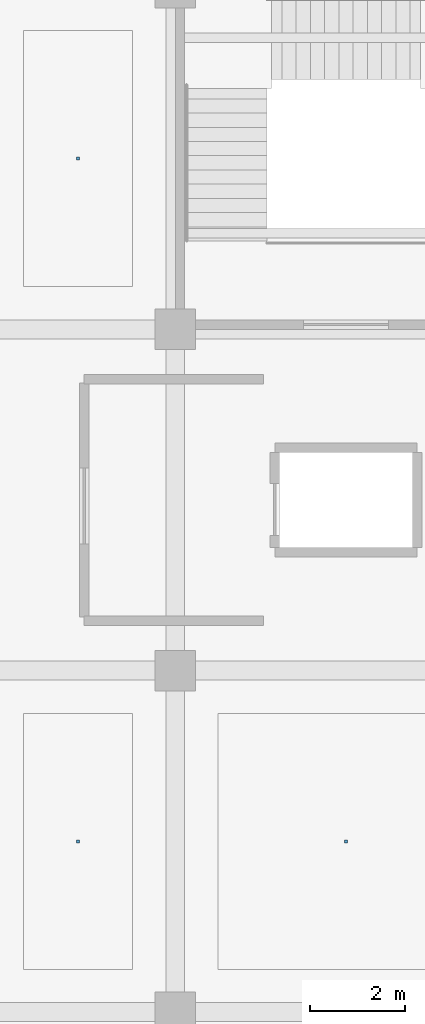
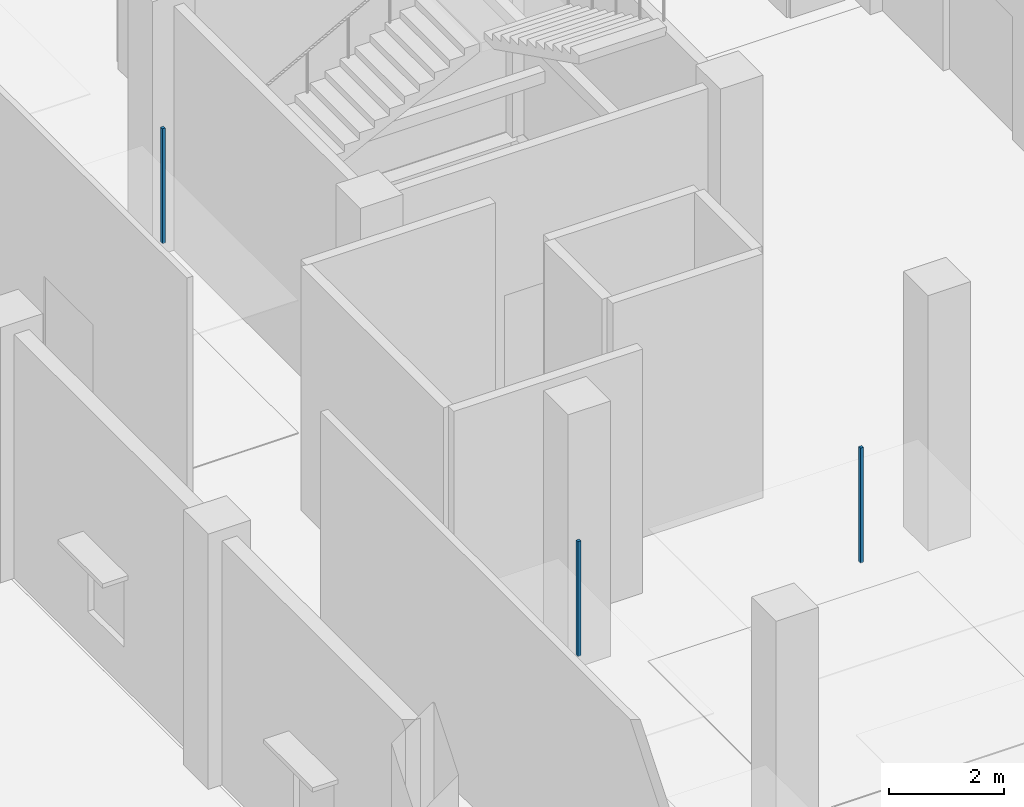
# One storey, part 80 of 90: 3 discrete accessories.
"""IFC4 building model written with IfcOpenShell, lengths in metres."""

from ifc_helpers import new_model, si_unit, direction, frame, origin, origin_2d, place, context, subcontext, project, spatial, rectangle, extrude, material, type_object, element, save


model = new_model("IFC4")

# Units and contexts
model_context = context("Model", 3, precision=1e-05, world=origin(), true_north=direction((0.0, 1.0)))
body_context = subcontext(model_context, "Body", "Model", "MODEL_VIEW")
ifc_project = project(units=[si_unit("LENGTHUNIT", "METRE"), si_unit("AREAUNIT", "SQUARE_METRE"), si_unit("VOLUMEUNIT", "CUBIC_METRE"), si_unit("PLANEANGLEUNIT", "RADIAN"), si_unit("MASSUNIT", "GRAM", prefix="KILO")], contexts=[model_context])

# Site, building, storey
site_placement = place(None, origin())
site = spatial("IfcSite", under=ifc_project, at=site_placement, CompositionType="ELEMENT")
building_placement = place(site_placement, origin())
building = spatial("IfcBuilding", under=site, at=building_placement, Name="Kangsadwip Square Police Headquarters", CompositionType="ELEMENT")
storey_placement = place(building_placement, origin())
storey = spatial("IfcBuildingStorey", under=building, at=storey_placement, Name="L00", CompositionType="ELEMENT", Elevation=0.0)

# Discrete accessories
ifc_material = material(Name="Structural steel IS 2062 E350 (Grade 350, 350 MPa)", Category="steel")
discrete_accessory_type = type_object("IfcDiscreteAccessoryType", Name="VeilOutriggerBracket", PredefinedType="BRACKET", material=ifc_material)
for number, where, z_axis, x_axis, name in (
    (1, (149.14990234375, 46.800048828125, 2.81005859375), (0.0, 0.0, 1.0), (1.0, 0.0, 0.0), "Ceiling Suspension Hanger L00-020"),
    (2, (154.800048828125, 46.800048828125, 2.81005859375), (0.0, 0.0, 1.0), (1.0, 0.0, 0.0), "Ceiling Suspension Hanger L00-021"),
    (3, (149.14990234375, 61.199951171875, 2.81005859375), (0.0, 0.0, 1.0), (1.0, 0.0, 0.0), "Ceiling Suspension Hanger L00-022"),
):
    element("IfcDiscreteAccessory", number, at=place(storey_placement, frame(where, z_axis=z_axis, x_axis=x_axis)), inside=storey, type_object=discrete_accessory_type, Name=name, PredefinedType="BRACKET", context=body_context, shape_type="SweptSolid", body=[
        extrude(rectangle(XDim=0.06005859375, YDim=0.06005859375, at=origin_2d()), origin(), (0.0, 0.0, 1.0), 2.429931640625),
    ])

save(model, "model.ifc")
